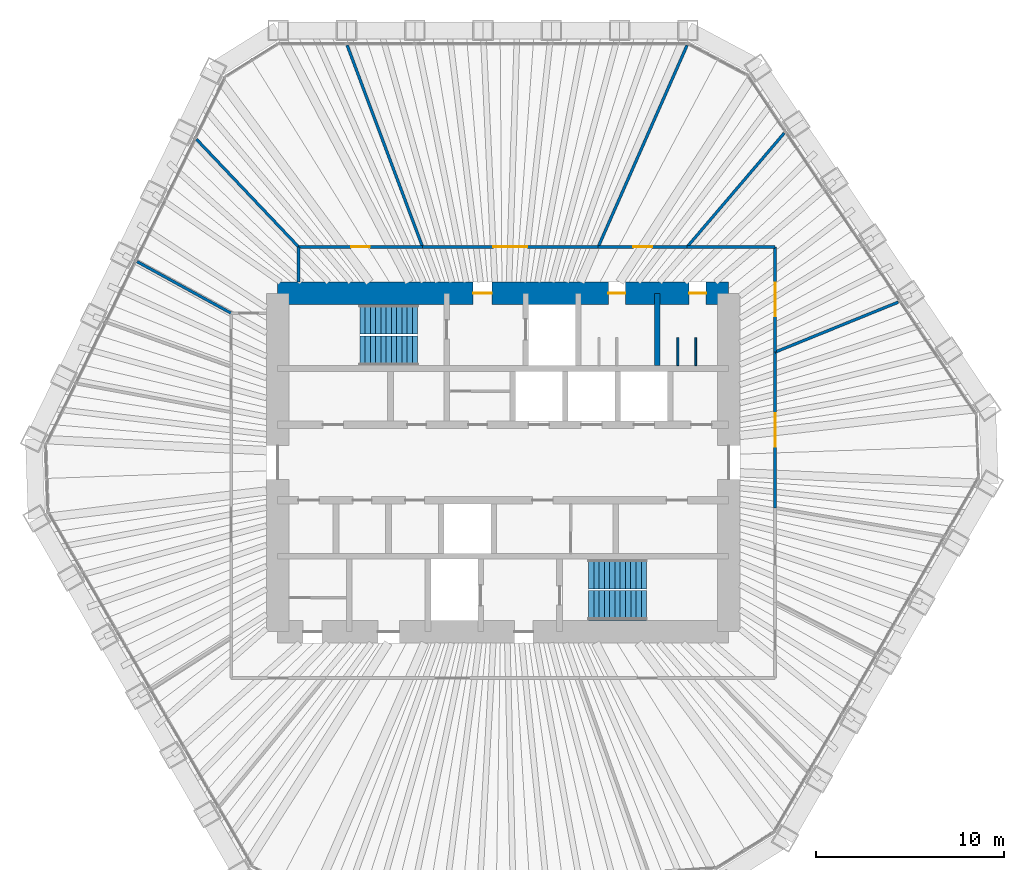
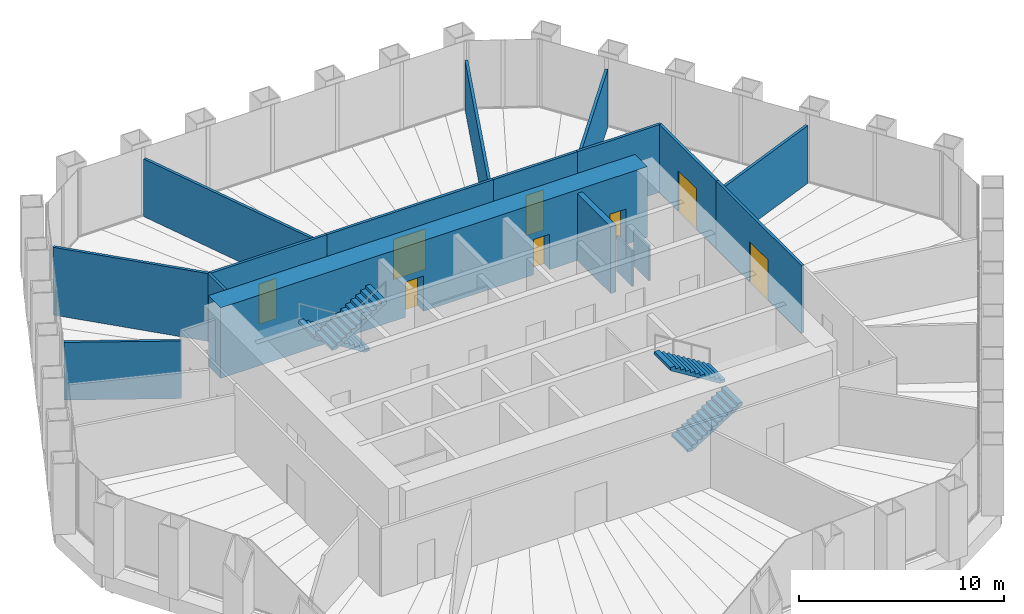
# One storey, part 12 of 13: 17 walls, 8 doors, 4 stair flights, 8 openings, 2 elements without a shape of their own.
"""IFC4 building model written with IfcOpenShell, lengths in metres."""

from ifc_helpers import new_model, si_unit, direction, frame, frame_2d, origin, place, context, subcontext, project, spatial, polyline, rectangle, outline, extrude, material, layer, layer_set, type_object, element, fill, aggregate, save


model = new_model("IFC4")

# Units and contexts
model_context = context("Model", 3, precision=1e-05, world=origin(), true_north=direction((0.0, 1.0)))
body_context = subcontext(model_context, "Body", "Model", "MODEL_VIEW")
ifc_project = project(units=[si_unit("LENGTHUNIT", "METRE"), si_unit("AREAUNIT", "SQUARE_METRE"), si_unit("VOLUMEUNIT", "CUBIC_METRE"), si_unit("PLANEANGLEUNIT", "RADIAN"), si_unit("MASSUNIT", "GRAM", prefix="KILO")], contexts=[model_context])

# Site, building, storey
site_placement = place(None, origin())
site = spatial("IfcSite", under=ifc_project, at=site_placement, CompositionType="ELEMENT")
building_placement = place(site_placement, origin())
building = spatial("IfcBuilding", under=site, at=building_placement, Name="Qingtian Harvest Tower", CompositionType="ELEMENT")
storey_placement = place(building_placement, frame((0.0, 0.0, 193.0)))
storey = spatial("IfcBuildingStorey", under=building, at=storey_placement, Name="L41", CompositionType="ELEMENT", Elevation=193.0)

# Wall
ifc_material_1 = material(Name="Precast concrete shaft panel", Category="concrete")
ifc_layer_1 = layer(ifc_material_1, 0.300048828125)
ifc_layer_set_1 = layer_set([ifc_layer_1], Name="Core shaft partition SW1 300")
wall_type_1 = type_object("IfcWallType", Name="Core shaft partition SW1 300", PredefinedType="PARTITIONING", material=ifc_layer_set_1)
wall_1_placement = place(storey_placement, frame((8.199951171875, 5.14990234375, 0.0), z_axis=(0.0, 0.0, 1.0), x_axis=(0.0, 1.0, 0.0)))
element("IfcWall", 1, at=wall_1_placement, inside=storey, type_object=wall_type_1, Name="Core shaft partition XN4 L41", PredefinedType="PARTITIONING", context=body_context, shape_type="SweptSolid", body=[
    extrude(rectangle(XDim=3.85009765625, YDim=0.300048828125, at=frame_2d((1.925048828125, 0.0))), origin(), (0.0, 0.0, 1.0), 3.97998046875),
])

# Wall, openings, doors
ifc_material_2 = material(Name="Concrete fc' 70 MPa", Category="concrete")
ifc_layer_2 = layer(ifc_material_2, 1.199951171875)
ifc_layer_set_2 = layer_set([ifc_layer_2], Name="Core wall RC2 1200")
wall_type_2 = type_object("IfcWallType", Name="Core wall RC2 1200", PredefinedType="SHEAR", material=ifc_layer_set_2)
wall_2_placement = place(storey_placement, frame((-12.0, 9.0, 0.0), z_axis=(0.0, 0.0, 1.0), x_axis=(1.0, 0.0, 0.0)))
wall_2 = element("IfcWall", 2, at=wall_2_placement, inside=storey, type_object=wall_type_2, Name="Core wall CN L41", PredefinedType="SHEAR", context=body_context, shape_type="SweptSolid", body=[
    extrude(rectangle(XDim=24.0, YDim=1.199951171875, at=frame_2d((12.0, 0.0))), origin(), (0.0, 0.0, 1.0), 4.199951171875),
])
opening_1_placement = place(wall_2_placement, frame((10.39990234375, 0.0, 0.0)))
opening_1 = element("IfcOpeningElement", 3, at=opening_1_placement, cuts=wall_2, Name="Opening FD1", PredefinedType="OPENING", context=body_context, shape_type="SweptSolid", body=[
    extrude(rectangle(XDim=1.0, YDim=2.10009765625, at=frame_2d((0.5, 1.050048828125))), frame((0.0, 0.60986328125, 0.0), z_axis=(0.0, -1.0, 0.0), x_axis=(1.0, 0.0, 0.0)), (0.0, 0.0, 1.0), 1.219970703125),
])
opening_2_placement = place(wall_2_placement, frame((17.60009765625, 0.0, 0.0)))
opening_2 = element("IfcOpeningElement", 4, at=opening_2_placement, cuts=wall_2, Name="Opening D1", PredefinedType="OPENING", context=body_context, shape_type="SweptSolid", body=[
    extrude(rectangle(XDim=0.89990234375, YDim=2.10009765625, at=frame_2d((0.449951171875, 1.050048828125))), frame((0.0, 0.60986328125, 0.0), z_axis=(0.0, -1.0, 0.0), x_axis=(1.0, 0.0, 0.0)), (0.0, 0.0, 1.0), 1.219970703125),
])
opening_3_placement = place(wall_2_placement, frame((21.89990234375, 0.0, 0.0)))
opening_3 = element("IfcOpeningElement", 5, at=opening_3_placement, cuts=wall_2, Name="Opening D1", PredefinedType="OPENING", context=body_context, shape_type="SweptSolid", body=[
    extrude(rectangle(XDim=0.89990234375, YDim=2.10009765625, at=frame_2d((0.449951171875, 1.050048828125))), frame((0.0, 0.60986328125, 0.0), z_axis=(0.0, -1.0, 0.0), x_axis=(1.0, 0.0, 0.0)), (0.0, 0.0, 1.0), 1.219970703125),
])
ifc_material_3 = material(Name="Steel-faced door leaf", Category="steel")
door_type_1 = type_object("IfcDoorType", Name="Fire door FD1 single 1 HR", OperationType="SINGLE_SWING_LEFT", PredefinedType="DOOR", material=ifc_material_3)
door_1_placement = place(opening_1_placement, origin())
door_1 = element("IfcDoor", 6, at=door_1_placement, inside=storey, type_object=door_type_1, Name="V1 door L41", OperationType="SINGLE_SWING_RIGHT", OverallHeight=2.10009765625, OverallWidth=1.0, PredefinedType="DOOR", context=body_context, shape_type="SweptSolid", body=[
    extrude(rectangle(XDim=1.0, YDim=2.10009765625, at=frame_2d((0.5, 1.050048828125))), frame((0.0, 0.02490234375, 0.0), z_axis=(0.0, -1.0, 0.0), x_axis=(1.0, 0.0, 0.0)), (0.0, 0.0, 1.0), 0.050048828125),
])
fill(opening_1, door_1)
ifc_material_4 = material(Name="Laminated timber door leaf", Category="wood")
door_type_2 = type_object("IfcDoorType", Name="Toilet door D1 single", OperationType="SINGLE_SWING_LEFT", PredefinedType="DOOR", material=ifc_material_4)
door_2_placement = place(opening_2_placement, origin())
door_2 = element("IfcDoor", 7, at=door_2_placement, inside=storey, type_object=door_type_2, Name="WCM door L41", OperationType="SINGLE_SWING_LEFT", OverallHeight=2.10009765625, OverallWidth=0.89990234375, PredefinedType="DOOR", context=body_context, shape_type="SweptSolid", body=[
    extrude(rectangle(XDim=0.89990234375, YDim=2.10009765625, at=frame_2d((0.449951171875, 1.050048828125))), frame((0.0, 0.02490234375, 0.0), z_axis=(0.0, -1.0, 0.0), x_axis=(1.0, 0.0, 0.0)), (0.0, 0.0, 1.0), 0.050048828125),
])
fill(opening_2, door_2)
door_3_placement = place(opening_3_placement, origin())
door_3 = element("IfcDoor", 8, at=door_3_placement, inside=storey, type_object=door_type_2, Name="WCF door L41", OperationType="SINGLE_SWING_LEFT", OverallHeight=2.10009765625, OverallWidth=0.89990234375, PredefinedType="DOOR", context=body_context, shape_type="SweptSolid", body=[
    extrude(rectangle(XDim=0.89990234375, YDim=2.10009765625, at=frame_2d((0.449951171875, 1.050048828125))), frame((0.0, 0.02490234375, 0.0), z_axis=(0.0, -1.0, 0.0), x_axis=(1.0, 0.0, 0.0)), (0.0, 0.0, 1.0), 0.050048828125),
])
fill(opening_3, door_3)

# Walls
ifc_material_5 = material(Name="Gypsum board on steel studs", Category="steel")
ifc_layer_3 = layer(ifc_material_5, 0.14990234375)
ifc_layer_set_3 = layer_set([ifc_layer_3], Name="Partition PT1 150")
wall_type_3 = type_object("IfcWallType", Name="Partition PT1 150", PredefinedType="PARTITIONING", material=ifc_layer_set_3)
wall_3_placement = place(storey_placement, frame((-19.48583984375, 10.6904296875, 0.0), z_axis=(0.0, 0.0, 1.0), x_axis=(0.876724089264, -0.480993629172, 0.0)))
element("IfcWall", 9, at=wall_3_placement, inside=storey, type_object=wall_type_3, Name="Huddle room wall L41", PredefinedType="PARTITIONING", context=body_context, shape_type="SweptSolid", body=[
    extrude(rectangle(XDim=5.71533203125, YDim=0.14990234375, at=frame_2d((2.857666015625, 0.0))), origin(), (0.0, 0.0, 1.0), 3.429931640625),
])
wall_4_placement = place(storey_placement, frame((-10.888671875, 9.60009765625, 0.0), z_axis=(0.0, 0.0, 1.0), x_axis=(0.0, 1.0, 0.0)))
element("IfcWall", 10, at=wall_4_placement, inside=storey, type_object=wall_type_3, Name="Huddle room wall L41", PredefinedType="PARTITIONING", context=body_context, shape_type="SweptSolid", body=[
    extrude(rectangle(XDim=1.875, YDim=0.14990234375, at=frame_2d((0.9375, 0.0))), origin(), (0.0, 0.0, 1.0), 4.030029296875),
])
wall_5_placement = place(storey_placement, frame((-16.31884765625, 17.19775390625, 0.0), z_axis=(0.0, 0.0, 1.0), x_axis=(0.688326413955, -0.725401094466, 0.0)))
element("IfcWall", 11, at=wall_5_placement, inside=storey, type_object=wall_type_3, Name="Meeting room wall L41", PredefinedType="PARTITIONING", context=body_context, shape_type="SweptSolid", body=[
    extrude(rectangle(XDim=7.888916015625, YDim=0.14990234375, at=frame_2d((3.9443359375, 0.0))), origin(), (0.0, 0.0, 1.0), 4.030029296875),
])

# Wall, opening, door
wall_6_placement = place(storey_placement, frame((-10.888671875, 11.47509765625, 0.0), z_axis=(0.0, 0.0, 1.0), x_axis=(1.0, 0.0, 0.0)))
wall_6 = element("IfcWall", 12, at=wall_6_placement, inside=storey, type_object=wall_type_3, Name="Meeting room wall L41", PredefinedType="PARTITIONING", context=body_context, shape_type="SweptSolid", body=[
    extrude(rectangle(XDim=6.597900390625, YDim=0.14990234375, at=frame_2d((3.298828125, 0.0))), origin(), (0.0, 0.0, 1.0), 4.030029296875),
])
opening_4_placement = place(wall_6_placement, frame((2.799072265625, 0.0, 0.0)))
opening_4 = element("IfcOpeningElement", 13, at=opening_4_placement, cuts=wall_6, Name="Opening D2", PredefinedType="OPENING", context=body_context, shape_type="SweptSolid", body=[
    extrude(rectangle(XDim=1.0, YDim=2.39990234375, at=frame_2d((0.5, 1.199951171875))), frame((0.0, 0.0849609375, 0.0), z_axis=(0.0, -1.0, 0.0), x_axis=(1.0, 0.0, 0.0)), (0.0, 0.0, 1.0), 0.169921875),
])
ifc_material_6 = material(Name="Laminated timber door leaf", Category="wood")
door_type_3 = type_object("IfcDoorType", Name="Room door D2 single", OperationType="SINGLE_SWING_LEFT", PredefinedType="DOOR", material=ifc_material_6)
door_4_placement = place(opening_4_placement, origin())
door_4 = element("IfcDoor", 14, at=door_4_placement, inside=storey, type_object=door_type_3, Name="Meeting room door L41", OperationType="SINGLE_SWING_RIGHT", OverallHeight=2.39990234375, OverallWidth=1.0, PredefinedType="DOOR", context=body_context, shape_type="SweptSolid", body=[
    extrude(rectangle(XDim=1.0, YDim=2.39990234375, at=frame_2d((0.5, 1.199951171875))), frame((0.0, 0.02490234375, 0.0), z_axis=(0.0, -1.0, 0.0), x_axis=(1.0, 0.0, 0.0)), (0.0, 0.0, 1.0), 0.050048828125),
])
fill(opening_4, door_4)

# Wall
wall_7_placement = place(storey_placement, frame((-8.303466796875, 22.206298828125, 0.0), z_axis=(0.0, 0.0, 1.0), x_axis=(0.350242883069, -0.936658914899, 0.0)))
element("IfcWall", 15, at=wall_7_placement, inside=storey, type_object=wall_type_3, Name="Workplace zone wall L41", PredefinedType="PARTITIONING", context=body_context, shape_type="SweptSolid", body=[
    extrude(rectangle(XDim=11.456787109375, YDim=0.14990234375, at=frame_2d((5.728515625, 0.0))), origin(), (0.0, 0.0, 1.0), 3.429931640625),
])

# Wall, opening, door
wall_8_placement = place(storey_placement, frame((-4.290771484375, 11.47509765625, 0.0), z_axis=(0.0, 0.0, 1.0), x_axis=(1.0, 0.0, 0.0)))
wall_8 = element("IfcWall", 16, at=wall_8_placement, inside=storey, type_object=wall_type_3, Name="Workplace zone wall L41", PredefinedType="PARTITIONING", context=body_context, shape_type="SweptSolid", body=[
    extrude(rectangle(XDim=9.3486328125, YDim=0.14990234375, at=frame_2d((4.67431640625, 0.0))), origin(), (0.0, 0.0, 1.0), 4.030029296875),
])
opening_5_placement = place(wall_8_placement, frame((3.7744140625, 0.0, 0.0)))
opening_5 = element("IfcOpeningElement", 17, at=opening_5_placement, cuts=wall_8, Name="Opening D3", PredefinedType="OPENING", context=body_context, shape_type="SweptSolid", body=[
    extrude(rectangle(XDim=1.800048828125, YDim=2.39990234375, at=frame_2d((0.89990234375, 1.199951171875))), frame((0.0, 0.0849609375, 0.0), z_axis=(0.0, -1.0, 0.0), x_axis=(1.0, 0.0, 0.0)), (0.0, 0.0, 1.0), 0.169921875),
])
ifc_material_7 = material(Name="Laminated timber door leaf", Category="wood")
door_type_4 = type_object("IfcDoorType", Name="Room door D3 double", OperationType="DOUBLE_DOOR_DOUBLE_SWING", PredefinedType="DOOR", material=ifc_material_7)
door_5_placement = place(opening_5_placement, origin())
door_5 = element("IfcDoor", 18, at=door_5_placement, inside=storey, type_object=door_type_4, Name="Workplace zone door L41", OperationType="DOUBLE_DOOR_DOUBLE_SWING", OverallHeight=2.39990234375, OverallWidth=1.800048828125, PredefinedType="DOOR", context=body_context, shape_type="SweptSolid", body=[
    extrude(rectangle(XDim=1.800048828125, YDim=2.39990234375, at=frame_2d((0.89990234375, 1.199951171875))), frame((0.0, 0.02490234375, 0.0), z_axis=(0.0, -1.0, 0.0), x_axis=(1.0, 0.0, 0.0)), (0.0, 0.0, 1.0), 0.050048828125),
])
fill(opening_5, door_5)

# Wall
wall_9_placement = place(storey_placement, frame((9.7890625, 22.20849609375, 0.0), z_axis=(0.0, 0.0, 1.0), x_axis=(-0.403346052835, -0.9150475188, 0.0)))
element("IfcWall", 19, at=wall_9_placement, inside=storey, type_object=wall_type_3, Name="Store room wall L41", PredefinedType="PARTITIONING", context=body_context, shape_type="SweptSolid", body=[
    extrude(rectangle(XDim=11.72998046875, YDim=0.14990234375, at=frame_2d((5.864990234375, 0.0))), origin(), (0.0, 0.0, 1.0), 2.929931640625),
])

# Wall, opening, door
wall_10_placement = place(storey_placement, frame((5.057861328125, 11.47509765625, 0.0), z_axis=(0.0, 0.0, 1.0), x_axis=(1.0, 0.0, 0.0)))
wall_10 = element("IfcWall", 20, at=wall_10_placement, inside=storey, type_object=wall_type_3, Name="Store room wall L41", PredefinedType="PARTITIONING", context=body_context, shape_type="SweptSolid", body=[
    extrude(rectangle(XDim=4.733154296875, YDim=0.14990234375, at=frame_2d((2.36669921875, 0.0))), origin(), (0.0, 0.0, 1.0), 4.030029296875),
])
opening_6_placement = place(wall_10_placement, frame((1.86669921875, 0.0, 0.0)))
opening_6 = element("IfcOpeningElement", 21, at=opening_6_placement, cuts=wall_10, Name="Opening D2", PredefinedType="OPENING", context=body_context, shape_type="SweptSolid", body=[
    extrude(rectangle(XDim=1.0, YDim=2.39990234375, at=frame_2d((0.5, 1.199951171875))), frame((0.0, 0.0849609375, 0.0), z_axis=(0.0, -1.0, 0.0), x_axis=(1.0, 0.0, 0.0)), (0.0, 0.0, 1.0), 0.169921875),
])
door_6_placement = place(opening_6_placement, origin())
door_6 = element("IfcDoor", 22, at=door_6_placement, inside=storey, type_object=door_type_3, Name="Store room door L41", OperationType="SINGLE_SWING_LEFT", OverallHeight=2.39990234375, OverallWidth=1.0, PredefinedType="DOOR", context=body_context, shape_type="SweptSolid", body=[
    extrude(rectangle(XDim=1.0, YDim=2.39990234375, at=frame_2d((0.5, 1.199951171875))), frame((0.0, 0.02490234375, 0.0), z_axis=(0.0, -1.0, 0.0), x_axis=(1.0, 0.0, 0.0)), (0.0, 0.0, 1.0), 0.050048828125),
])
fill(opening_6, door_6)

# Walls
wall_11_placement = place(storey_placement, frame((14.9580078125, 17.530517578125, 0.0), z_axis=(0.0, 0.0, 1.0), x_axis=(-0.649097500837, -0.760705221756, 0.0)))
element("IfcWall", 23, at=wall_11_placement, inside=storey, type_object=wall_type_3, Name="Meeting room wall L41", PredefinedType="PARTITIONING", context=body_context, shape_type="SweptSolid", body=[
    extrude(rectangle(XDim=7.960205078125, YDim=0.14990234375, at=frame_2d((3.97998046875, 0.0))), origin(), (0.0, 0.0, 1.0), 3.429931640625),
])
wall_12_placement = place(storey_placement, frame((9.791015625, 11.47509765625, 0.0), z_axis=(0.0, 0.0, 1.0), x_axis=(1.0, 0.0, 0.0)))
element("IfcWall", 24, at=wall_12_placement, inside=storey, type_object=wall_type_3, Name="Meeting room wall L41", PredefinedType="PARTITIONING", context=body_context, shape_type="SweptSolid", body=[
    extrude(rectangle(XDim=4.68408203125, YDim=0.14990234375, at=frame_2d((2.342041015625, 0.0))), origin(), (0.0, 0.0, 1.0), 4.030029296875),
])

# Wall, opening, door
wall_13_placement = place(storey_placement, frame((14.47509765625, 11.47509765625, 0.0), z_axis=(0.0, 0.0, 1.0), x_axis=(0.0, -1.0, 0.0)))
wall_13 = element("IfcWall", 25, at=wall_13_placement, inside=storey, type_object=wall_type_3, Name="Meeting room wall L41", PredefinedType="PARTITIONING", context=body_context, shape_type="SweptSolid", body=[
    extrude(rectangle(XDim=5.601318359375, YDim=0.14990234375, at=frame_2d((2.80078125, 0.0))), origin(), (0.0, 0.0, 1.0), 4.030029296875),
])
opening_7_placement = place(wall_13_placement, frame((1.900634765625, 0.0, 0.0)))
opening_7 = element("IfcOpeningElement", 26, at=opening_7_placement, cuts=wall_13, Name="Opening D3", PredefinedType="OPENING", context=body_context, shape_type="SweptSolid", body=[
    extrude(rectangle(XDim=1.800048828125, YDim=2.39990234375, at=frame_2d((0.89990234375, 1.199951171875))), frame((0.0, 0.0849609375, 0.0), z_axis=(0.0, -1.0, 0.0), x_axis=(1.0, 0.0, 0.0)), (0.0, 0.0, 1.0), 0.169921875),
])
door_7_placement = place(opening_7_placement, origin())
door_7 = element("IfcDoor", 27, at=door_7_placement, inside=storey, type_object=door_type_4, Name="Meeting room door L41", OperationType="DOUBLE_DOOR_DOUBLE_SWING", OverallHeight=2.39990234375, OverallWidth=1.800048828125, PredefinedType="DOOR", context=body_context, shape_type="SweptSolid", body=[
    extrude(rectangle(XDim=1.800048828125, YDim=2.39990234375, at=frame_2d((0.89990234375, 1.199951171875))), frame((0.0, 0.02490234375, 0.0), z_axis=(0.0, -1.0, 0.0), x_axis=(1.0, 0.0, 0.0)), (0.0, 0.0, 1.0), 0.050048828125),
])
fill(opening_7, door_7)

# Wall
wall_14_placement = place(storey_placement, frame((21.02587890625, 8.531982421875, 0.0), z_axis=(0.0, 0.0, 1.0), x_axis=(-0.926617028548, -0.376006492503, 0.0)))
element("IfcWall", 28, at=wall_14_placement, inside=storey, type_object=wall_type_3, Name="Workplace zone wall L41", PredefinedType="PARTITIONING", context=body_context, shape_type="SweptSolid", body=[
    extrude(rectangle(XDim=7.069580078125, YDim=0.14990234375, at=frame_2d((3.53466796875, 0.0))), origin(), (0.0, 0.0, 1.0), 3.429931640625),
])

# Wall, opening, door
wall_15_placement = place(storey_placement, frame((14.47509765625, 5.873779296875, 0.0), z_axis=(0.0, 0.0, 1.0), x_axis=(0.0, -1.0, 0.0)))
wall_15 = element("IfcWall", 29, at=wall_15_placement, inside=storey, type_object=wall_type_3, Name="Workplace zone wall L41", PredefinedType="PARTITIONING", context=body_context, shape_type="SweptSolid", body=[
    extrude(rectangle(XDim=8.295654296875, YDim=0.14990234375, at=frame_2d((4.14794921875, 0.0))), origin(), (0.0, 0.0, 1.0), 4.030029296875),
])
opening_8_placement = place(wall_15_placement, frame((3.247802734375, 0.0, 0.0)))
opening_8 = element("IfcOpeningElement", 30, at=opening_8_placement, cuts=wall_15, Name="Opening D3", PredefinedType="OPENING", context=body_context, shape_type="SweptSolid", body=[
    extrude(rectangle(XDim=1.800048828125, YDim=2.39990234375, at=frame_2d((0.89990234375, 1.199951171875))), frame((0.0, 0.0849609375, 0.0), z_axis=(0.0, -1.0, 0.0), x_axis=(1.0, 0.0, 0.0)), (0.0, 0.0, 1.0), 0.169921875),
])
door_8_placement = place(opening_8_placement, origin())
door_8 = element("IfcDoor", 31, at=door_8_placement, inside=storey, type_object=door_type_4, Name="Workplace zone door L41", OperationType="DOUBLE_DOOR_DOUBLE_SWING", OverallHeight=2.39990234375, OverallWidth=1.800048828125, PredefinedType="DOOR", context=body_context, shape_type="SweptSolid", body=[
    extrude(rectangle(XDim=1.800048828125, YDim=2.39990234375, at=frame_2d((0.89990234375, 1.199951171875))), frame((0.0, 0.02490234375, 0.0), z_axis=(0.0, -1.0, 0.0), x_axis=(1.0, 0.0, 0.0)), (0.0, 0.0, 1.0), 0.050048828125),
])
fill(opening_8, door_8)

# Walls
ifc_material_8 = material(Name="Compact laminate cubicle partition", Category="plastic")
ifc_layer_4 = layer(ifc_material_8, 0.10009765625)
ifc_layer_set_4 = layer_set([ifc_layer_4], Name="WC cubicle partition WP1 100")
wall_type_4 = type_object("IfcWallType", Name="WC cubicle partition WP1 100", PredefinedType="PARTITIONING", material=ifc_layer_set_4)
for number, where, z_axis, x_axis, name in (
    (32, (9.300048828125, 5.14990234375, 0.0), (0.0, 0.0, 1.0), (0.0, 1.0, 0.0), "WC cubicle partition WCF L41"),
    (33, (10.25, 5.14990234375, 0.0), (0.0, 0.0, 1.0), (0.0, 1.0, 0.0), "WC cubicle partition WCF L41"),
):
    element("IfcWall", number, at=place(storey_placement, frame(where, z_axis=z_axis, x_axis=x_axis)), inside=storey, type_object=wall_type_4, Name=name, PredefinedType="PARTITIONING", context=body_context, shape_type="SweptSolid", body=[
        extrude(rectangle(XDim=1.5, YDim=0.10009765625, at=frame_2d((0.75, 0.0))), origin(), (0.0, 0.0, 1.0), 2.10009765625),
    ])

# Stair, stair flights
ifc_material_9 = material(Name="Concrete fc' 35 MPa", Category="concrete")
stair_type = type_object("IfcStairType", Name="Special stair ST4 4200", PredefinedType="HALF_TURN_STAIR", material=ifc_material_9)
stair_1_placement = place(storey_placement, origin())
stair_1 = element("IfcStair", 34, at=stair_1_placement, inside=storey, type_object=stair_type, Name="Special stair S1 L41", PredefinedType="HALF_TURN_STAIR")
ifc_material_10 = material(Name="Concrete fc' 35 MPa", Category="concrete")
stair_flight_type = type_object("IfcStairFlightType", Name="Stair flight SF4 4200", PredefinedType="STRAIGHT", material=ifc_material_10)
stair_flight_1_placement = place(storey_placement, frame((-4.550048828125, 7.612548828125, 0.0), z_axis=(0.0, 0.0, 1.0), x_axis=(-1.0, 0.0, 0.0)))
stair_flight_1 = element("IfcStairFlight", 35, at=stair_flight_1_placement, type_object=stair_flight_type, Name="S1 flight 1", NumberOfRisers=12, NumberOfTreads=11, PredefinedType="STRAIGHT", RiserHeight=0.175, TreadLength=0.28, context=body_context, shape_type="SweptSolid", body=[
    extrude(outline(polyline([(0.0, 0.0), (0.0, 0.175048828125), (0.280029296875, 0.175048828125), (0.280029296875, 0.35009765625), (0.56005859375, 0.35009765625), (0.56005859375, 0.52490234375), (0.840087890625, 0.52490234375), (0.840087890625, 0.699951171875), (1.1201171875, 0.699951171875), (1.1201171875, 0.875), (1.39990234375, 0.875), (1.39990234375, 1.050048828125), (1.679931640625, 1.050048828125), (1.679931640625, 1.22509765625), (1.9599609375, 1.22509765625), (1.9599609375, 1.39990234375), (2.239990234375, 1.39990234375), (2.239990234375, 1.574951171875), (2.52001953125, 1.574951171875), (2.52001953125, 1.75), (2.800048828125, 1.75), (2.800048828125, 1.925048828125), (3.080078125, 1.925048828125), (3.080078125, 2.10009765625), (3.080078125, 1.748291015625), (0.28271484375, 0.0), (0.0, 0.0)])), frame((0.0, 0.78759765625, 0.0), z_axis=(0.0, -1.0, 0.0), x_axis=(1.0, 0.0, 0.0)), (0.0, 0.0, 1.0), 1.574951171875),
])
stair_flight_2_placement = place(storey_placement, frame((-7.6298828125, 5.9375, 2.10009765625), z_axis=(0.0, 0.0, 1.0), x_axis=(1.0, 0.0, 0.0)))
stair_flight_2 = element("IfcStairFlight", 36, at=stair_flight_2_placement, type_object=stair_flight_type, Name="S1 flight 2", NumberOfRisers=12, NumberOfTreads=11, PredefinedType="STRAIGHT", RiserHeight=0.175, TreadLength=0.28, context=body_context, shape_type="SweptSolid", body=[
    extrude(outline(polyline([(0.0, 0.0), (0.0, 0.175048828125), (0.280029296875, 0.175048828125), (0.280029296875, 0.35009765625), (0.56005859375, 0.35009765625), (0.56005859375, 0.52490234375), (0.840087890625, 0.52490234375), (0.840087890625, 0.699951171875), (1.1201171875, 0.699951171875), (1.1201171875, 0.875), (1.39990234375, 0.875), (1.39990234375, 1.050048828125), (1.679931640625, 1.050048828125), (1.679931640625, 1.22509765625), (1.9599609375, 1.22509765625), (1.9599609375, 1.39990234375), (2.239990234375, 1.39990234375), (2.239990234375, 1.574951171875), (2.52001953125, 1.574951171875), (2.52001953125, 1.75), (2.800048828125, 1.75), (2.800048828125, 1.925048828125), (3.080078125, 1.925048828125), (3.080078125, 2.10009765625), (3.080078125, 1.748291015625), (0.28271484375, 0.0), (0.0, 0.0)])), frame((0.0, 0.78759765625, 0.0), z_axis=(0.0, -1.0, 0.0), x_axis=(1.0, 0.0, 0.0)), (0.0, 0.0, 1.0), 1.574951171875),
])
aggregate(stair_1, [stair_flight_1, stair_flight_2])

stair_2_placement = place(storey_placement, origin())
stair_2 = element("IfcStair", 37, at=stair_2_placement, inside=storey, type_object=stair_type, Name="Special stair S2 L41", PredefinedType="HALF_TURN_STAIR")
stair_flight_3_placement = place(storey_placement, frame((4.550048828125, -7.612548828125, 0.0), z_axis=(0.0, 0.0, 1.0), x_axis=(1.0, 0.0, 0.0)))
stair_flight_3 = element("IfcStairFlight", 38, at=stair_flight_3_placement, type_object=stair_flight_type, Name="S2 flight 1", NumberOfRisers=12, NumberOfTreads=11, PredefinedType="STRAIGHT", RiserHeight=0.175, TreadLength=0.28, context=body_context, shape_type="SweptSolid", body=[
    extrude(outline(polyline([(0.0, 0.0), (0.0, 0.175048828125), (0.280029296875, 0.175048828125), (0.280029296875, 0.35009765625), (0.56005859375, 0.35009765625), (0.56005859375, 0.52490234375), (0.840087890625, 0.52490234375), (0.840087890625, 0.699951171875), (1.1201171875, 0.699951171875), (1.1201171875, 0.875), (1.39990234375, 0.875), (1.39990234375, 1.050048828125), (1.679931640625, 1.050048828125), (1.679931640625, 1.22509765625), (1.9599609375, 1.22509765625), (1.9599609375, 1.39990234375), (2.239990234375, 1.39990234375), (2.239990234375, 1.574951171875), (2.52001953125, 1.574951171875), (2.52001953125, 1.75), (2.800048828125, 1.75), (2.800048828125, 1.925048828125), (3.080078125, 1.925048828125), (3.080078125, 2.10009765625), (3.080078125, 1.748291015625), (0.28271484375, 0.0), (0.0, 0.0)])), frame((0.0, 0.78759765625, 0.0), z_axis=(0.0, -1.0, 0.0), x_axis=(1.0, 0.0, 0.0)), (0.0, 0.0, 1.0), 1.574951171875),
])
stair_flight_4_placement = place(storey_placement, frame((7.6298828125, -5.9375, 2.10009765625), z_axis=(0.0, 0.0, 1.0), x_axis=(-1.0, 0.0, 0.0)))
stair_flight_4 = element("IfcStairFlight", 39, at=stair_flight_4_placement, type_object=stair_flight_type, Name="S2 flight 2", NumberOfRisers=12, NumberOfTreads=11, PredefinedType="STRAIGHT", RiserHeight=0.175, TreadLength=0.28, context=body_context, shape_type="SweptSolid", body=[
    extrude(outline(polyline([(0.0, 0.0), (0.0, 0.175048828125), (0.280029296875, 0.175048828125), (0.280029296875, 0.35009765625), (0.56005859375, 0.35009765625), (0.56005859375, 0.52490234375), (0.840087890625, 0.52490234375), (0.840087890625, 0.699951171875), (1.1201171875, 0.699951171875), (1.1201171875, 0.875), (1.39990234375, 0.875), (1.39990234375, 1.050048828125), (1.679931640625, 1.050048828125), (1.679931640625, 1.22509765625), (1.9599609375, 1.22509765625), (1.9599609375, 1.39990234375), (2.239990234375, 1.39990234375), (2.239990234375, 1.574951171875), (2.52001953125, 1.574951171875), (2.52001953125, 1.75), (2.800048828125, 1.75), (2.800048828125, 1.925048828125), (3.080078125, 1.925048828125), (3.080078125, 2.10009765625), (3.080078125, 1.748291015625), (0.28271484375, 0.0), (0.0, 0.0)])), frame((0.0, 0.78759765625, 0.0), z_axis=(0.0, -1.0, 0.0), x_axis=(1.0, 0.0, 0.0)), (0.0, 0.0, 1.0), 1.574951171875),
])
aggregate(stair_2, [stair_flight_3, stair_flight_4])

save(model, "model.ifc")
